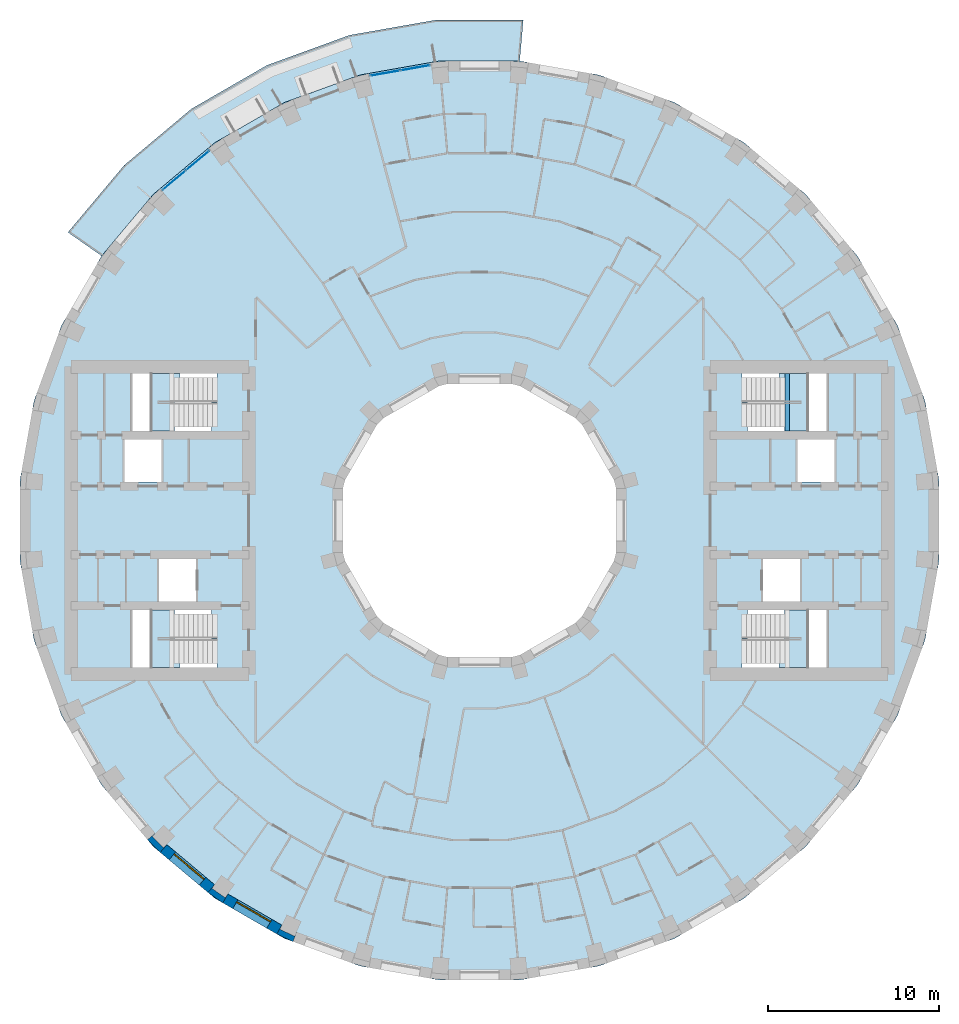
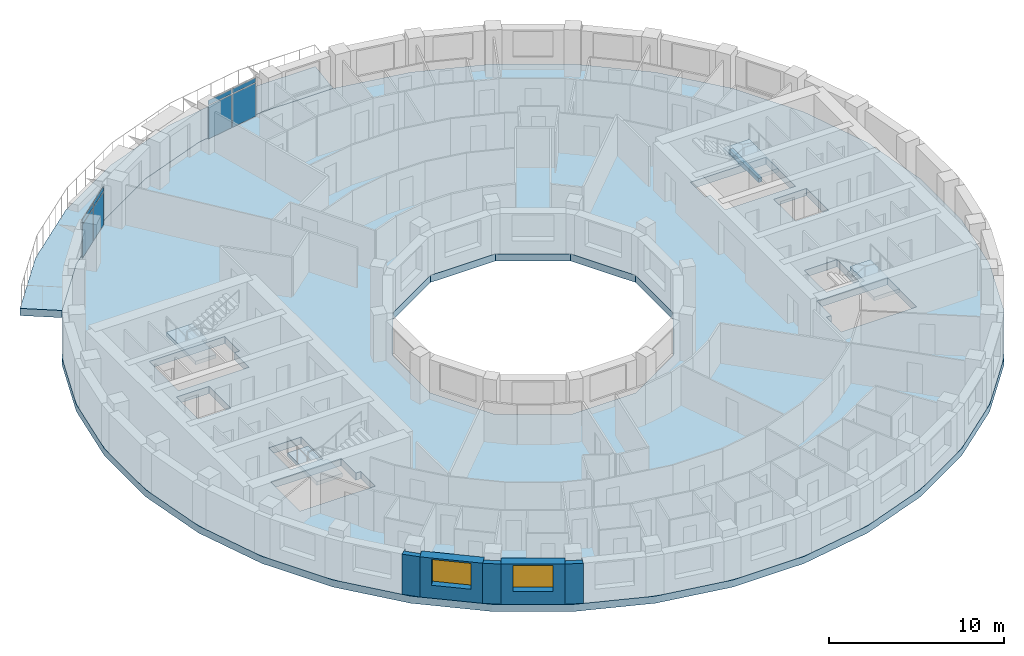
# One storey, part 3 of 14: 8 plates, 6 slabs, 5 walls, 2 windows, 1 beam, 2 openings, 6 elements without a shape of their own.
"""IFC4 building model written with IfcOpenShell, lengths in metres."""

from ifc_helpers import new_model, si_unit, direction, frame, frame_2d, origin, origin_2d, place, context, subcontext, project, spatial, polyline, rectangle, outline, extrude, material, layer, layer_set, material_profile, profile_set, type_object, element, fill, aggregate, save


model = new_model("IFC4")

# Units and contexts
model_context = context("Model", 3, precision=1e-05, world=origin(), true_north=direction((0.0, 1.0)))
body_context = subcontext(model_context, "Body", "Model", "MODEL_VIEW")
ifc_project = project(units=[si_unit("LENGTHUNIT", "METRE"), si_unit("AREAUNIT", "SQUARE_METRE"), si_unit("VOLUMEUNIT", "CUBIC_METRE"), si_unit("PLANEANGLEUNIT", "RADIAN"), si_unit("MASSUNIT", "GRAM", prefix="KILO")], contexts=[model_context])

# Site, building, storey
site_placement = place(None, origin())
site = spatial("IfcSite", under=ifc_project, at=site_placement, CompositionType="ELEMENT")
building_placement = place(site_placement, origin())
building = spatial("IfcBuilding", under=site, at=building_placement, Name="Saqina Gate Tower", CompositionType="ELEMENT")
storey_placement = place(building_placement, frame((0.0, 0.0, 91.89990234375)))
storey = spatial("IfcBuildingStorey", under=building, at=storey_placement, Name="L25", CompositionType="ELEMENT", Elevation=91.89990234375)

# Beam
ifc_material_1 = material(Name="Concrete C40/50", Category="concrete")
ifc_material_profile = material_profile(ifc_material_1, rectangle(XDim=0.25, YDim=0.300048828125, at=origin_2d()), Name="STAIR LANDING BEAM")
ifc_profile_set = profile_set([ifc_material_profile], Name="Concrete C40/50")
beam_type = type_object("IfcBeamType", Name="STAIR LANDING BEAM", PredefinedType="BEAM", material=ifc_profile_set)
beam_placement = place(storey_placement, frame((18.02001953125, 5.25, 1.25), z_axis=(0.0, 1.0, 0.0), x_axis=(-1.0, 0.0, 0.0)))
element("IfcBeam", 1, at=beam_placement, inside=storey, type_object=beam_type, Name="EXIT STAIR 1 LANDING BEAM", PredefinedType="BEAM", context=body_context, shape_type="SweptSolid", body=[
    extrude(rectangle(XDim=0.25, YDim=0.300048828125, at=origin_2d()), origin(), (0.0, 0.0, 1.0), 3.35009765625),
])

# Curtain wall, plates
ifc_material_2 = material(Name="Aluminium glazing", Category="aluminium")
ifc_layer_1 = layer(ifc_material_2, 0.159912109375)
ifc_layer_set_1 = layer_set([ifc_layer_1], Name="CWT-4")
curtain_wall_type = type_object("IfcCurtainWallType", Name="CWT-4", PredefinedType="NOTDEFINED", material=ifc_layer_set_1)
curtain_wall_1_placement = place(storey_placement, origin())
curtain_wall_1 = element("IfcCurtainWall", 2, at=curtain_wall_1_placement, inside=storey, type_object=curtain_wall_type, Name="Terrace lounge glazing facet 10", PredefinedType="NOTDEFINED")
ifc_material_3 = material(Name="Glass", Category="glass")
ifc_layer_2 = layer(ifc_material_3, 0.028076171875)
ifc_layer_set_2 = layer_set([ifc_layer_2], Name="CWT-4P")
plate_type = type_object("IfcPlateType", Name="CWT-4P", PredefinedType="CURTAIN_PANEL", material=ifc_layer_set_2)
plate_1_placement = place(storey_placement, frame((-3.76123046875, 26.49658203125, 0.06005859375), z_axis=(0.0, 0.0, 1.0), x_axis=(-0.984809489664, -0.17363832834, 0.0)))
plate_1 = element("IfcPlate", 3, at=plate_1_placement, type_object=plate_type, Name="CW4-10 panel 1.1", PredefinedType="CURTAIN_PANEL", context=body_context, shape_type="SweptSolid", body=[
    extrude(rectangle(XDim=1.73388671875, YDim=0.028076171875, at=origin_2d()), origin(), (0.0, 0.0, 1.0), 2.31005859375),
])
plate_2_placement = place(storey_placement, frame((-3.76123046875, 26.49658203125, 2.43017578125), z_axis=(0.0, 0.0, 1.0), x_axis=(-0.984809489664, -0.17363832834, 0.0)))
plate_2 = element("IfcPlate", 4, at=plate_2_placement, type_object=plate_type, Name="CW4-10 panel 1.2", PredefinedType="CURTAIN_PANEL", context=body_context, shape_type="SweptSolid", body=[
    extrude(rectangle(XDim=1.73388671875, YDim=0.028076171875, at=origin_2d()), origin(), (0.0, 0.0, 1.0), 0.31005859375),
])
plate_3_placement = place(storey_placement, frame((-5.52783203125, 26.18505859375, 0.06005859375), z_axis=(0.0, 0.0, 1.0), x_axis=(-0.984809489664, -0.17363832834, 0.0)))
plate_3 = element("IfcPlate", 5, at=plate_3_placement, type_object=plate_type, Name="CW4-10 panel 2.1", PredefinedType="CURTAIN_PANEL", context=body_context, shape_type="SweptSolid", body=[
    extrude(rectangle(XDim=1.73388671875, YDim=0.028076171875, at=origin_2d()), origin(), (0.0, 0.0, 1.0), 2.31005859375),
])
plate_4_placement = place(storey_placement, frame((-5.52783203125, 26.18505859375, 2.43017578125), z_axis=(0.0, 0.0, 1.0), x_axis=(-0.984809489664, -0.17363832834, 0.0)))
plate_4 = element("IfcPlate", 6, at=plate_4_placement, type_object=plate_type, Name="CW4-10 panel 2.2", PredefinedType="CURTAIN_PANEL", context=body_context, shape_type="SweptSolid", body=[
    extrude(rectangle(XDim=1.73388671875, YDim=0.028076171875, at=origin_2d()), origin(), (0.0, 0.0, 1.0), 0.31005859375),
])
aggregate(curtain_wall_1, [plate_1, plate_2, plate_3, plate_4])

curtain_wall_2_placement = place(storey_placement, origin())
curtain_wall_2 = element("IfcCurtainWall", 7, at=curtain_wall_2_placement, inside=storey, type_object=curtain_wall_type, Name="Terrace lounge glazing facet 13", PredefinedType="NOTDEFINED")
plate_5_placement = place(storey_placement, frame((-16.505615234375, 21.066162109375, 0.06005859375), z_axis=(0.0, 0.0, 1.0), x_axis=(-0.766041744675, -0.642790825553, 0.0)))
plate_5 = element("IfcPlate", 8, at=plate_5_placement, type_object=plate_type, Name="CW4-13 panel 1.1", PredefinedType="CURTAIN_PANEL", context=body_context, shape_type="SweptSolid", body=[
    extrude(rectangle(XDim=1.73388671875, YDim=0.028076171875, at=origin_2d()), origin(), (0.0, 0.0, 1.0), 2.31005859375),
])
plate_6_placement = place(storey_placement, frame((-16.505615234375, 21.066162109375, 2.43017578125), z_axis=(0.0, 0.0, 1.0), x_axis=(-0.766041744675, -0.642790825553, 0.0)))
plate_6 = element("IfcPlate", 9, at=plate_6_placement, type_object=plate_type, Name="CW4-13 panel 1.2", PredefinedType="CURTAIN_PANEL", context=body_context, shape_type="SweptSolid", body=[
    extrude(rectangle(XDim=1.73388671875, YDim=0.028076171875, at=origin_2d()), origin(), (0.0, 0.0, 1.0), 0.31005859375),
])
plate_7_placement = place(storey_placement, frame((-17.8798828125, 19.9130859375, 0.06005859375), z_axis=(0.0, 0.0, 1.0), x_axis=(-0.766041744675, -0.642790825553, 0.0)))
plate_7 = element("IfcPlate", 10, at=plate_7_placement, type_object=plate_type, Name="CW4-13 panel 2.1", PredefinedType="CURTAIN_PANEL", context=body_context, shape_type="SweptSolid", body=[
    extrude(rectangle(XDim=1.73388671875, YDim=0.028076171875, at=origin_2d()), origin(), (0.0, 0.0, 1.0), 2.31005859375),
])
plate_8_placement = place(storey_placement, frame((-17.8798828125, 19.9130859375, 2.43017578125), z_axis=(0.0, 0.0, 1.0), x_axis=(-0.766041744675, -0.642790825553, 0.0)))
plate_8 = element("IfcPlate", 11, at=plate_8_placement, type_object=plate_type, Name="CW4-13 panel 2.2", PredefinedType="CURTAIN_PANEL", context=body_context, shape_type="SweptSolid", body=[
    extrude(rectangle(XDim=1.73388671875, YDim=0.028076171875, at=origin_2d()), origin(), (0.0, 0.0, 1.0), 0.31005859375),
])
aggregate(curtain_wall_2, [plate_5, plate_6, plate_7, plate_8])

# Stair, slab
ifc_material_4 = material(Name="Concrete C40/50", Category="concrete")
stair_type = type_object("IfcStairType", Name="EXIT STAIR", PredefinedType="HALF_TURN_STAIR", material=ifc_material_4)
stair_1_placement = place(storey_placement, origin())
stair_1 = element("IfcStair", 12, at=stair_1_placement, inside=storey, type_object=stair_type, Name="EXIT STAIR 1", PredefinedType="HALF_TURN_STAIR")
ifc_material_5 = material(Name="Concrete C40/50", Category="concrete")
ifc_layer_3 = layer(ifc_material_5, 0.25)
ifc_layer_set_3 = layer_set([ifc_layer_3], Name="Concrete C40/50")
slab_type_1 = type_object("IfcSlabType", Name="EXIT STAIR LANDING", PredefinedType="LANDING", material=ifc_layer_set_3)
slab_1_placement = place(storey_placement, frame((0.0, 0.0, 1.400146484375)))
slab_1 = element("IfcSlab", 13, at=slab_1_placement, type_object=slab_type_1, Name="EXIT STAIR 1 LANDING 1", PredefinedType="LANDING", context=body_context, shape_type="SweptSolid", body=[
    extrude(outline(polyline([(19.219970703125, 8.60009765625), (19.219970703125, 5.25), (17.864990234375, 5.25), (17.864990234375, 6.925048828125), (17.534423828125, 6.925048828125), (17.534423828125, 8.60009765625), (17.864990234375, 8.60009765625), (17.8701171875, 8.60009765625), (19.219970703125, 8.60009765625)])), origin(), (0.0, 0.0, 1.0), 0.25),
])
aggregate(stair_1, [slab_1])

stair_2_placement = place(storey_placement, origin())
stair_2 = element("IfcStair", 14, at=stair_2_placement, inside=storey, type_object=stair_type, Name="EXIT STAIR 2", PredefinedType="HALF_TURN_STAIR")
slab_2_placement = place(storey_placement, frame((0.0, 0.0, 1.400146484375)))
slab_2 = element("IfcSlab", 15, at=slab_2_placement, type_object=slab_type_1, Name="EXIT STAIR 2 LANDING 1", PredefinedType="LANDING", context=body_context, shape_type="SweptSolid", body=[
    extrude(outline(polyline([(17.534423828125, -8.60009765625), (17.534423828125, -6.925048828125), (17.864990234375, -6.925048828125), (17.864990234375, -5.25), (19.219970703125, -5.25), (19.219970703125, -8.60009765625), (17.8701171875, -8.60009765625), (17.864990234375, -8.60009765625), (17.534423828125, -8.60009765625)])), origin(), (0.0, 0.0, 1.0), 0.25),
])
aggregate(stair_2, [slab_2])

stair_3_placement = place(storey_placement, origin())
stair_3 = element("IfcStair", 16, at=stair_3_placement, inside=storey, type_object=stair_type, Name="EXIT STAIR 3", PredefinedType="HALF_TURN_STAIR")
slab_3_placement = place(storey_placement, frame((0.0, 0.0, 1.400146484375)))
slab_3 = element("IfcSlab", 17, at=slab_3_placement, type_object=slab_type_1, Name="EXIT STAIR 3 LANDING 1", PredefinedType="LANDING", context=body_context, shape_type="SweptSolid", body=[
    extrude(outline(polyline([(-17.864990234375, 5.25), (-19.219970703125, 5.25), (-19.219970703125, 8.60009765625), (-17.8701171875, 8.60009765625), (-17.864990234375, 8.60009765625), (-17.534423828125, 8.60009765625), (-17.534423828125, 6.925048828125), (-17.864990234375, 6.925048828125), (-17.864990234375, 5.25)])), origin(), (0.0, 0.0, 1.0), 0.25),
])
aggregate(stair_3, [slab_3])

stair_4_placement = place(storey_placement, origin())
stair_4 = element("IfcStair", 18, at=stair_4_placement, inside=storey, type_object=stair_type, Name="EXIT STAIR 4", PredefinedType="HALF_TURN_STAIR")
slab_4_placement = place(storey_placement, frame((0.0, 0.0, 1.400146484375)))
slab_4 = element("IfcSlab", 19, at=slab_4_placement, type_object=slab_type_1, Name="EXIT STAIR 4 LANDING 1", PredefinedType="LANDING", context=body_context, shape_type="SweptSolid", body=[
    extrude(outline(polyline([(-17.534423828125, -6.925048828125), (-17.534423828125, -8.60009765625), (-17.864990234375, -8.60009765625), (-17.8701171875, -8.60009765625), (-19.219970703125, -8.60009765625), (-19.219970703125, -5.25), (-17.864990234375, -5.25), (-17.864990234375, -6.925048828125), (-17.534423828125, -6.925048828125)])), origin(), (0.0, 0.0, 1.0), 0.25),
])
aggregate(stair_4, [slab_4])

# Slabs
ifc_material_6 = material(Name="Concrete C40/50", Category="concrete")
ifc_layer_4 = layer(ifc_material_6, 0.5)
ifc_layer_set_4 = layer_set([ifc_layer_4], Name="Concrete C40/50")
slab_type_2 = type_object("IfcSlabType", Name="STR-POST-TENSIONED FLAT PLATE FLOOR-500", PredefinedType="FLOOR", material=ifc_layer_set_4)
slab_5_placement = place(storey_placement, frame((0.0, 0.0, -0.5)))
element("IfcSlab", 20, at=slab_5_placement, inside=storey, type_object=slab_type_2, Name="L25-SLB01", PredefinedType="FLOOR", context=body_context, shape_type="SweptSolid", body=[
    extrude(outline(polyline([(26.080078125, -6.988037109375), (26.897216796875, -2.353271484375), (26.897216796875, 2.353271484375), (26.080078125, 6.988037109375), (24.47021484375, 11.41064453125), (22.1171875, 15.486572265625), (19.091796875, 19.091796875), (15.486572265625, 22.1171875), (11.41064453125, 24.47021484375), (6.988037109375, 26.080078125), (2.353271484375, 26.897216796875), (-2.353271484375, 26.897216796875), (-6.988037109375, 26.080078125), (-11.41064453125, 24.47021484375), (-15.486572265625, 22.1171875), (-19.091796875, 19.091796875), (-22.1171875, 15.486572265625), (-24.47021484375, 11.41064453125), (-26.080078125, 6.988037109375), (-26.897216796875, 2.353271484375), (-26.897216796875, -2.353271484375), (-26.080078125, -6.988037109375), (-24.47021484375, -11.41064453125), (-22.1171875, -15.486572265625), (-19.091796875, -19.091796875), (-15.486572265625, -22.1171875), (-11.41064453125, -24.47021484375), (-6.988037109375, -26.080078125), (-2.353271484375, -26.897216796875), (2.353271484375, -26.897216796875), (6.988037109375, -26.080078125), (11.41064453125, -24.47021484375), (15.486572265625, -22.1171875), (19.091796875, -19.091796875), (22.1171875, -15.486572265625), (24.47021484375, -11.41064453125), (26.080078125, -6.988037109375)]), holes=[polyline([(2.1435546875, 8.0), (5.8564453125, 5.8564453125), (8.0, 2.1435546875), (8.0, -2.1435546875), (5.8564453125, -5.8564453125), (2.1435546875, -8.0), (-2.1435546875, -8.0), (-5.8564453125, -5.8564453125), (-8.0, -2.1435546875), (-8.0, 2.1435546875), (-5.8564453125, 5.8564453125), (-2.1435546875, 8.0), (2.1435546875, 8.0)]), polyline([(-15.35498046875, -8.60009765625), (-20.340087890625, -8.60009765625), (-20.340087890625, -6.925048828125), (-20.340087890625, -5.25), (-15.685546875, -5.25), (-15.685546875, -6.925048828125), (-15.35498046875, -6.925048828125), (-15.35498046875, -8.60009765625)]), polyline([(-16.590087890625, -2.25), (-16.590087890625, -4.75), (-18.75, -4.75), (-18.75, -2.25), (-16.590087890625, -2.25)]), polyline([(-20.780029296875, 4.75), (-18.6201171875, 4.75), (-18.6201171875, 2.25), (-20.780029296875, 2.25), (-20.780029296875, 4.75)]), polyline([(-20.340087890625, 6.925048828125), (-20.340087890625, 8.60009765625), (-15.35498046875, 8.60009765625), (-15.35498046875, 6.925048828125), (-15.685546875, 6.925048828125), (-15.685546875, 5.25), (-20.340087890625, 5.25), (-20.340087890625, 6.925048828125)]), polyline([(15.35498046875, -8.60009765625), (15.35498046875, -6.925048828125), (15.685546875, -6.925048828125), (15.685546875, -5.25), (20.340087890625, -5.25), (20.340087890625, -6.925048828125), (20.340087890625, -8.60009765625), (15.35498046875, -8.60009765625)]), polyline([(18.75, -2.25), (18.75, -4.75), (16.590087890625, -4.75), (16.590087890625, -2.25), (18.75, -2.25)]), polyline([(18.6201171875, 4.75), (20.780029296875, 4.75), (20.780029296875, 2.25), (18.6201171875, 2.25), (18.6201171875, 4.75)]), polyline([(15.685546875, 6.925048828125), (15.35498046875, 6.925048828125), (15.35498046875, 8.60009765625), (20.340087890625, 8.60009765625), (20.340087890625, 6.925048828125), (20.340087890625, 5.25), (15.685546875, 5.25), (15.685546875, 6.925048828125)])]), origin(), (0.0, 0.0, 1.0), 0.5),
])
ifc_material_7 = material(Name="Concrete C40/50", Category="concrete")
ifc_layer_5 = layer(ifc_material_7, 0.5)
ifc_layer_set_5 = layer_set([ifc_layer_5], Name="Concrete C40/50")
slab_type_3 = type_object("IfcSlabType", Name="STR-POST-TENSIONED FLAT PLATE TERRACE-500", PredefinedType="FLOOR", material=ifc_layer_set_5)
slab_6_placement = place(storey_placement, frame((0.0, 0.0, -0.5)))
element("IfcSlab", 21, at=slab_6_placement, inside=storey, type_object=slab_type_3, Name="L25-TRS01", PredefinedType="FLOOR", context=body_context, shape_type="SweptSolid", body=[
    extrude(outline(polyline([(2.353271484375, 26.897216796875), (-2.353271484375, 26.897216796875), (-6.988037109375, 26.080078125), (-11.41064453125, 24.47021484375), (-15.486572265625, 22.1171875), (-19.091796875, 19.091796875), (-22.1171875, 15.486572265625), (-24.090576171875, 16.868408203125), (-20.79541015625, 20.79541015625), (-16.868408203125, 24.090576171875), (-12.428955078125, 26.65380859375), (-7.611572265625, 28.406982421875), (-2.563232421875, 29.29736328125), (2.563232421875, 29.29736328125), (2.353271484375, 26.897216796875)])), origin(), (0.0, 0.0, 1.0), 0.5),
])

# Walls
ifc_material_8 = material(Name="Brick masonry (buff)", Category="masonry")
wall_type_1 = type_object("IfcWallType", Name="BRICK PIER COPING BUFF", PredefinedType="SOLIDWALL", material=ifc_material_8)
wall_1_placement = place(storey_placement, origin())
element("IfcWall", 22, at=wall_1_placement, inside=storey, type_object=wall_type_1, Name="Pier cap L25 column 23", PredefinedType="SOLIDWALL", context=body_context, shape_type="SweptSolid", body=[
    extrude(outline(polyline([(-19.43212890625, -18.686279296875), (-18.686279296875, -19.43212890625), (-18.30078125, -18.972412109375), (-18.49072265625, -19.16259765625), (-19.16259765625, -18.49072265625), (-18.972412109375, -18.30078125), (-19.43212890625, -18.686279296875)])), origin(), (0.0, 0.0, 1.0), 2.800048828125),
])
wall_2_placement = place(storey_placement, origin())
element("IfcWall", 23, at=wall_2_placement, inside=storey, type_object=wall_type_1, Name="Pier cap L25 column 24", PredefinedType="SOLIDWALL", context=body_context, shape_type="SweptSolid", body=[
    extrude(outline(polyline([(-15.0283203125, -22.3818359375), (-14.728271484375, -21.862060546875), (-14.88232421875, -22.08251953125), (-15.66064453125, -21.53759765625), (-15.50634765625, -21.317138671875), (-15.89208984375, -21.77685546875), (-15.0283203125, -22.3818359375)])), origin(), (0.0, 0.0, 1.0), 2.800048828125),
])
wall_3_placement = place(storey_placement, origin())
element("IfcWall", 24, at=wall_3_placement, inside=storey, type_object=wall_type_1, Name="Pier cap L25 column 25", PredefinedType="SOLIDWALL", context=body_context, shape_type="SweptSolid", body=[
    extrude(outline(polyline([(-10.913330078125, -24.6513671875), (-10.7080078125, -24.08740234375), (-10.82177734375, -24.331298828125), (-11.6826171875, -23.9296875), (-11.569091796875, -23.68603515625), (-11.869140625, -24.205810546875), (-10.913330078125, -24.6513671875)])), origin(), (0.0, 0.0, 1.0), 2.800048828125),
])

# Wall, opening, window
ifc_material_9 = material(Name="Brick masonry (buff)", Category="masonry")
ifc_layer_6 = layer(ifc_material_9, 0.60009765625)
ifc_layer_set_6 = layer_set([ifc_layer_6], Name="FW-BRICK-BUFF")
wall_type_2 = type_object("IfcWallType", Name="FW-BRICK-BUFF", PredefinedType="SOLIDWALL", material=ifc_layer_set_6)
wall_4_placement = place(storey_placement, frame((-18.49365234375, -19.202392578125, 0.0), z_axis=(0.0, 0.0, 1.0), x_axis=(0.766055462616, -0.642774476932, 0.0)))
wall_4 = element("IfcWall", 25, at=wall_4_placement, inside=storey, type_object=wall_type_2, Name="Facade wall L25 facet 23", PredefinedType="SOLIDWALL", context=body_context, shape_type="SweptSolid", body=[
    extrude(rectangle(XDim=3.647705078125, YDim=0.60009765625, at=frame_2d((1.82373046875, 0.0))), origin(), (0.0, 0.0, 1.0), 2.800048828125),
])
opening_1_placement = place(wall_4_placement, frame((0.673828125, 0.0, 0.89990234375)))
opening_1 = element("IfcOpeningElement", 26, at=opening_1_placement, cuts=wall_4, Name="Opening G07-W12", PredefinedType="OPENING", context=body_context, shape_type="SweptSolid", body=[
    extrude(rectangle(XDim=2.300048828125, YDim=1.800048828125, at=frame_2d((1.14990234375, 0.89990234375))), frame((0.0, 0.31201171875, 0.0), z_axis=(0.0, -1.0, 0.0), x_axis=(1.0, 0.0, 0.0)), (0.0, 0.0, 1.0), 0.6240234375),
])
ifc_material_10 = material(Name="Aluminium glazing", Category="aluminium")
window_type = type_object("IfcWindowType", Name="WN-B", PartitioningType="SINGLE_PANEL", PredefinedType="WINDOW", material=ifc_material_10)
window_1_placement = place(opening_1_placement, origin())
window_1 = element("IfcWindow", 27, at=window_1_placement, inside=storey, type_object=window_type, Name="Window L25 facet 23", OverallHeight=1.800048828125, OverallWidth=2.300048828125, PartitioningType="SINGLE_PANEL", PredefinedType="WINDOW", context=body_context, shape_type="SweptSolid", body=[
    extrude(rectangle(XDim=2.300048828125, YDim=1.800048828125, at=frame_2d((1.14990234375, 0.89990234375))), frame((0.0, 0.179931640625, 0.0), z_axis=(0.0, -1.0, 0.0), x_axis=(1.0, 0.0, 0.0)), (0.0, 0.0, 1.0), 0.06005859375),
])
fill(opening_1, window_1)

wall_5_placement = place(storey_placement, frame((-14.878173828125, -22.1220703125, 0.0), z_axis=(0.0, 0.0, 1.0), x_axis=(0.866051847062, -0.499954196102, 0.0)))
wall_5 = element("IfcWall", 28, at=wall_5_placement, inside=storey, type_object=wall_type_2, Name="Facade wall L25 facet 24", PredefinedType="SOLIDWALL", context=body_context, shape_type="SweptSolid", body=[
    extrude(rectangle(XDim=3.647705078125, YDim=0.60009765625, at=frame_2d((1.82373046875, 0.0))), origin(), (0.0, 0.0, 1.0), 2.800048828125),
])
opening_2_placement = place(wall_5_placement, frame((0.673828125, 0.0, 0.89990234375)))
opening_2 = element("IfcOpeningElement", 29, at=opening_2_placement, cuts=wall_5, Name="Opening G07-W13", PredefinedType="OPENING", context=body_context, shape_type="SweptSolid", body=[
    extrude(rectangle(XDim=2.300048828125, YDim=1.800048828125, at=frame_2d((1.14990234375, 0.89990234375))), frame((0.0, 0.31201171875, 0.0), z_axis=(0.0, -1.0, 0.0), x_axis=(1.0, 0.0, 0.0)), (0.0, 0.0, 1.0), 0.6240234375),
])
window_2_placement = place(opening_2_placement, origin())
window_2 = element("IfcWindow", 30, at=window_2_placement, inside=storey, type_object=window_type, Name="Window L25 facet 24", OverallHeight=1.800048828125, OverallWidth=2.300048828125, PartitioningType="SINGLE_PANEL", PredefinedType="WINDOW", context=body_context, shape_type="SweptSolid", body=[
    extrude(rectangle(XDim=2.300048828125, YDim=1.800048828125, at=frame_2d((1.14990234375, 0.89990234375))), frame((0.0, 0.179931640625, 0.0), z_axis=(0.0, -1.0, 0.0), x_axis=(1.0, 0.0, 0.0)), (0.0, 0.0, 1.0), 0.06005859375),
])
fill(opening_2, window_2)

save(model, "model.ifc")
